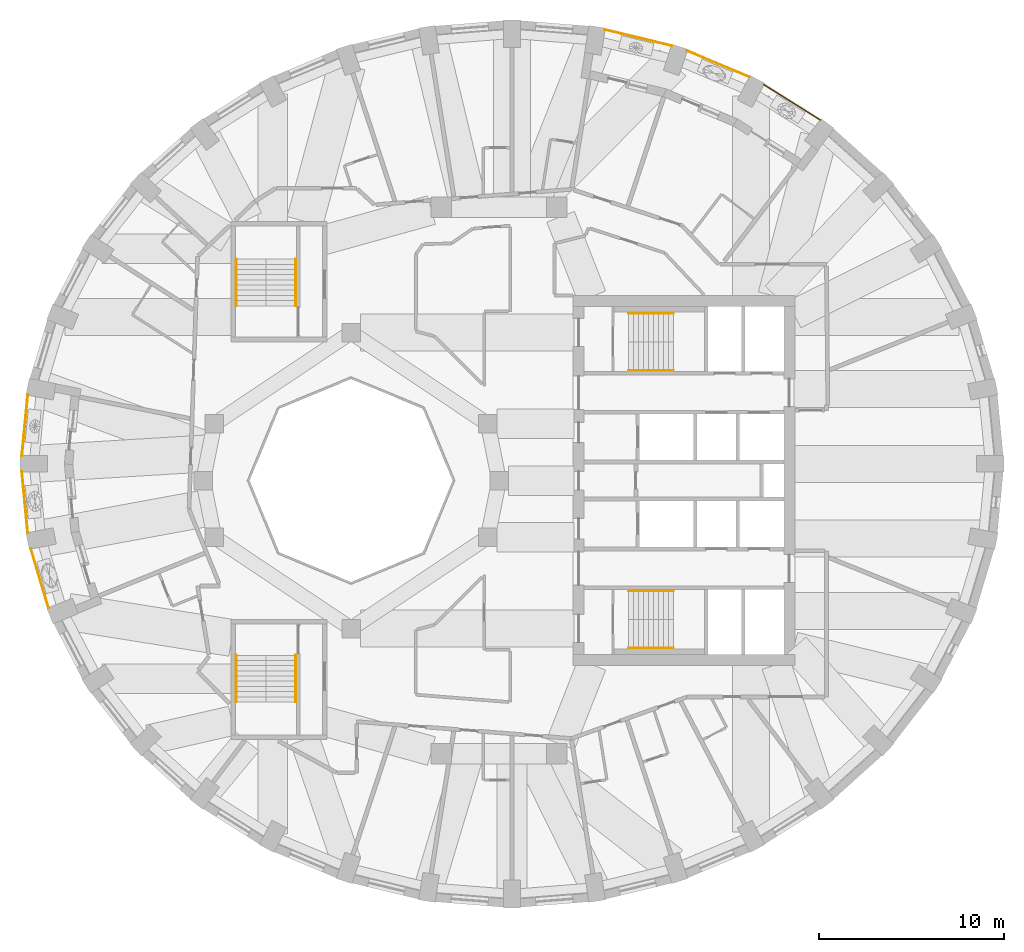
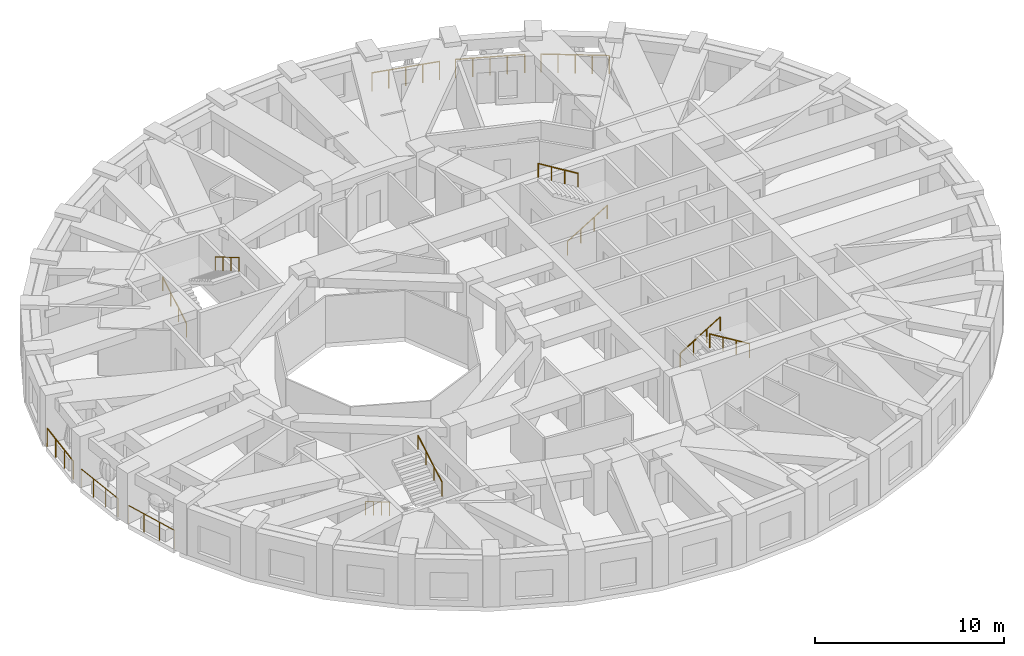
# One storey, part 10 of 12: 14 railings.
"""IFC4 building model written with IfcOpenShell, lengths in metres."""

from ifc_helpers import new_model, si_unit, direction, frame, origin, origin_2d, place, context, subcontext, project, spatial, circle, extrude, material, type_object, element, save


model = new_model("IFC4")

# Units and contexts
model_context = context("Model", 3, precision=1e-05, world=origin(), true_north=direction((0.0, 1.0)))
body_context = subcontext(model_context, "Body", "Model", "MODEL_VIEW")
ifc_project = project(units=[si_unit("LENGTHUNIT", "METRE"), si_unit("AREAUNIT", "SQUARE_METRE"), si_unit("VOLUMEUNIT", "CUBIC_METRE"), si_unit("PLANEANGLEUNIT", "RADIAN"), si_unit("MASSUNIT", "GRAM", prefix="KILO")], contexts=[model_context])

# Site, building, storey
site_placement = place(None, origin())
site = spatial("IfcSite", under=ifc_project, at=site_placement, CompositionType="ELEMENT")
building_placement = place(site_placement, origin())
building = spatial("IfcBuilding", under=site, at=building_placement, Name="Taillehof Tower", CompositionType="ELEMENT")
storey_placement = place(building_placement, frame((0.0, 0.0, 192.5)))
storey = spatial("IfcBuildingStorey", under=building, at=storey_placement, Name="L54", CompositionType="ELEMENT", Elevation=192.5)

# Railings
ifc_material_1 = material(Name="Stainless steel balustrade", Category="steel")
railing_type_1 = type_object("IfcRailingType", Name="Balcony guard 1200", PredefinedType="GUARDRAIL", material=ifc_material_1)
railing_1_placement = place(storey_placement, frame((17.3671875, 19.490478515625, 0.0)))
element("IfcRailing", 1, at=railing_1_placement, inside=storey, type_object=railing_type_1, Name="Balcony guard L54 bay 6", PredefinedType="GUARDRAIL", context=body_context, shape_type="SweptSolid", body=[
    extrude(circle(Radius=0.02392578125, at=origin_2d()), frame((0.0, 0.0, 1.17578125), z_axis=(-0.846122283453, 0.532988819249, 0.0), x_axis=(-0.532988819249, -0.846122283453, 0.0)), (0.0, 0.0, 1.0), 3.614501953125),
    extrude(circle(Radius=0.02099609375, at=origin_2d()), origin(), (0.0, 0.0, 1.0), 1.15185546875),
    extrude(circle(Radius=0.02099609375, at=origin_2d()), frame((-0.7646484375, 0.481689453125, 0.0)), (0.0, 0.0, 1.0), 1.15185546875),
    extrude(circle(Radius=0.02099609375, at=origin_2d()), frame((-1.529296875, 0.96337890625, 0.0)), (0.0, 0.0, 1.0), 1.15185546875),
    extrude(circle(Radius=0.02099609375, at=origin_2d()), frame((-2.293701171875, 1.44482421875, 0.0)), (0.0, 0.0, 1.0), 1.15185546875),
    extrude(circle(Radius=0.02099609375, at=origin_2d()), frame((-3.058349609375, 1.926513671875, 0.0)), (0.0, 0.0, 1.0), 1.15185546875),
])
railing_2_placement = place(storey_placement, frame((13.545654296875, 21.813720703125, 0.0)))
element("IfcRailing", 2, at=railing_2_placement, inside=storey, type_object=railing_type_1, Name="Balcony guard L54 bay 7", PredefinedType="GUARDRAIL", context=body_context, shape_type="SweptSolid", body=[
    extrude(circle(Radius=0.02392578125, at=origin_2d()), frame((0.0, 0.0, 1.17578125), z_axis=(-0.922153135678, 0.386825017752, 0.0), x_axis=(-0.386825017752, -0.922153135678, 0.0)), (0.0, 0.0, 1.0), 3.677734375),
    extrude(circle(Radius=0.02099609375, at=origin_2d()), origin(), (0.0, 0.0, 1.0), 1.15185546875),
    extrude(circle(Radius=0.02099609375, at=origin_2d()), frame((-0.847900390625, 0.355712890625, 0.0)), (0.0, 0.0, 1.0), 1.15185546875),
    extrude(circle(Radius=0.02099609375, at=origin_2d()), frame((-1.69580078125, 0.71142578125, 0.0)), (0.0, 0.0, 1.0), 1.15185546875),
    extrude(circle(Radius=0.02099609375, at=origin_2d()), frame((-2.54345703125, 1.06689453125, 0.0)), (0.0, 0.0, 1.0), 1.15185546875),
    extrude(circle(Radius=0.02099609375, at=origin_2d()), frame((-3.391357421875, 1.422607421875, 0.0)), (0.0, 0.0, 1.0), 1.15185546875),
])
railing_3_placement = place(storey_placement, frame((9.3369140625, 23.50439453125, 0.0)))
element("IfcRailing", 3, at=railing_3_placement, inside=storey, type_object=railing_type_1, Name="Balcony guard L54 bay 8", PredefinedType="GUARDRAIL", context=body_context, shape_type="SweptSolid", body=[
    extrude(circle(Radius=0.02392578125, at=origin_2d()), frame((0.0, 0.0, 1.17578125), z_axis=(-0.972163104093, 0.234305140875, 0.0), x_axis=(-0.234305140875, -0.972163104093, 0.0)), (0.0, 0.0, 1.0), 3.72412109375),
    extrude(circle(Radius=0.02099609375, at=origin_2d()), origin(), (0.0, 0.0, 1.0), 1.15185546875),
    extrude(circle(Radius=0.02099609375, at=origin_2d()), frame((-0.905029296875, 0.21826171875, 0.0)), (0.0, 0.0, 1.0), 1.15185546875),
    extrude(circle(Radius=0.02099609375, at=origin_2d()), frame((-1.81005859375, 0.436279296875, 0.0)), (0.0, 0.0, 1.0), 1.15185546875),
    extrude(circle(Radius=0.02099609375, at=origin_2d()), frame((-2.71533203125, 0.654296875, 0.0)), (0.0, 0.0, 1.0), 1.15185546875),
    extrude(circle(Radius=0.02099609375, at=origin_2d()), frame((-3.620361328125, 0.87255859375, 0.0)), (0.0, 0.0, 1.0), 1.15185546875),
])
railing_4_placement = place(storey_placement, frame((-25.47607421875, 4.6396484375, 0.0)))
element("IfcRailing", 4, at=railing_4_placement, inside=storey, type_object=railing_type_1, Name="Balcony guard L54 bay 18", PredefinedType="GUARDRAIL", context=body_context, shape_type="SweptSolid", body=[
    extrude(circle(Radius=0.02392578125, at=origin_2d()), frame((0.0, 0.0, 1.17578125), z_axis=(-0.096770014858, -0.995306768903, 0.0), x_axis=(0.995306768903, -0.096770014858, 0.0)), (0.0, 0.0, 1.0), 3.3251953125),
    extrude(circle(Radius=0.02099609375, at=origin_2d()), origin(), (0.0, 0.0, 1.0), 1.15185546875),
    extrude(circle(Radius=0.02099609375, at=origin_2d()), frame((-0.107177734375, -1.103271484375, 0.0)), (0.0, 0.0, 1.0), 1.15185546875),
    extrude(circle(Radius=0.02099609375, at=origin_2d()), frame((-0.214599609375, -2.206298828125, 0.0)), (0.0, 0.0, 1.0), 1.15185546875),
    extrude(circle(Radius=0.02099609375, at=origin_2d()), frame((-0.32177734375, -3.3095703125, 0.0)), (0.0, 0.0, 1.0), 1.15185546875),
])
railing_5_placement = place(storey_placement, frame((-25.7978515625, 0.469970703125, 0.0)))
element("IfcRailing", 5, at=railing_5_placement, inside=storey, type_object=railing_type_1, Name="Balcony guard L54 bay 19", PredefinedType="GUARDRAIL", context=body_context, shape_type="SweptSolid", body=[
    extrude(circle(Radius=0.02392578125, at=origin_2d()), frame((0.0, 0.0, 1.17578125), z_axis=(0.096770014858, -0.995306768903, 0.0), x_axis=(0.995306768903, 0.096770014858, 0.0)), (0.0, 0.0, 1.0), 3.3251953125),
    extrude(circle(Radius=0.02099609375, at=origin_2d()), origin(), (0.0, 0.0, 1.0), 1.15185546875),
    extrude(circle(Radius=0.02099609375, at=origin_2d()), frame((0.107177734375, -1.103271484375, 0.0)), (0.0, 0.0, 1.0), 1.15185546875),
    extrude(circle(Radius=0.02099609375, at=origin_2d()), frame((0.214599609375, -2.206298828125, 0.0)), (0.0, 0.0, 1.0), 1.15185546875),
    extrude(circle(Radius=0.02099609375, at=origin_2d()), frame((0.32177734375, -3.3095703125, 0.0)), (0.0, 0.0, 1.0), 1.15185546875),
])
railing_6_placement = place(storey_placement, frame((-25.310791015625, -3.683837890625, 0.0)))
element("IfcRailing", 6, at=railing_6_placement, inside=storey, type_object=railing_type_1, Name="Balcony guard L54 bay 20", PredefinedType="GUARDRAIL", context=body_context, shape_type="SweptSolid", body=[
    extrude(circle(Radius=0.02392578125, at=origin_2d()), frame((0.0, 0.0, 1.17578125), z_axis=(0.285469468933, -0.958387803714, 0.0), x_axis=(0.958387803714, 0.285469468933, 0.0)), (0.0, 0.0, 1.0), 3.3515625),
    extrude(circle(Radius=0.02099609375, at=origin_2d()), origin(), (0.0, 0.0, 1.0), 1.15185546875),
    extrude(circle(Radius=0.02099609375, at=origin_2d()), frame((0.31884765625, -1.07080078125, 0.0)), (0.0, 0.0, 1.0), 1.15185546875),
    extrude(circle(Radius=0.02099609375, at=origin_2d()), frame((0.637939453125, -2.141357421875, 0.0)), (0.0, 0.0, 1.0), 1.15185546875),
    extrude(circle(Radius=0.02099609375, at=origin_2d()), frame((0.956787109375, -3.212158203125, 0.0)), (0.0, 0.0, 1.0), 1.15185546875),
])
ifc_material_2 = material(Name="Stainless steel", Category="steel")
railing_type_2 = type_object("IfcRailingType", Name="Stair handrail 900", PredefinedType="HANDRAIL", material=ifc_material_2)
railing_7_placement = place(storey_placement, frame((7.0, 5.949951171875, 0.1650390625)))
element("IfcRailing", 7, at=railing_7_placement, inside=storey, type_object=railing_type_2, Name="Stair S1 handrail", PredefinedType="HANDRAIL", context=body_context, shape_type="SweptSolid", body=[
    extrude(circle(Radius=0.02392578125, at=origin_2d()), frame((0.0, 0.0, 0.8759765625), z_axis=(0.853296667938, 0.0, 0.521425734392), x_axis=(0.0, 1.0, 0.0)), (0.0, 0.0, 1.0), 2.84765625),
    extrude(circle(Radius=0.02099609375, at=origin_2d()), origin(), (0.0, 0.0, 1.0), 0.851806640625),
    extrude(circle(Radius=0.02099609375, at=origin_2d()), frame((0.81005859375, 0.0, 0.494873046875)), (0.0, 0.0, 1.0), 0.851806640625),
    extrude(circle(Radius=0.02099609375, at=origin_2d()), frame((1.619873046875, 0.0, 0.989990234375)), (0.0, 0.0, 1.0), 0.851806640625),
    extrude(circle(Radius=0.02099609375, at=origin_2d()), frame((2.429931640625, 0.0, 1.48486328125)), (0.0, 0.0, 1.0), 0.851806640625),
])
railing_8_placement = place(storey_placement, frame((9.429931640625, 9.050048828125, 1.81494140625)))
element("IfcRailing", 8, at=railing_8_placement, inside=storey, type_object=railing_type_2, Name="Stair S1 handrail", PredefinedType="HANDRAIL", context=body_context, shape_type="SweptSolid", body=[
    extrude(circle(Radius=0.02392578125, at=origin_2d()), frame((0.0, 0.0, 0.8759765625), z_axis=(-0.853258522278, 0.0, 0.521488153423), x_axis=(0.0, -1.0, 0.0)), (0.0, 0.0, 1.0), 2.847900390625),
    extrude(circle(Radius=0.02099609375, at=origin_2d()), origin(), (0.0, 0.0, 1.0), 0.851806640625),
    extrude(circle(Radius=0.02099609375, at=origin_2d()), frame((-0.81005859375, 0.0, 0.4951171875)), (0.0, 0.0, 1.0), 0.851806640625),
    extrude(circle(Radius=0.02099609375, at=origin_2d()), frame((-1.619873046875, 0.0, 0.989990234375)), (0.0, 0.0, 1.0), 0.851806640625),
    extrude(circle(Radius=0.02099609375, at=origin_2d()), frame((-2.429931640625, 0.0, 1.485107421875)), (0.0, 0.0, 1.0), 0.851806640625),
])
railing_9_placement = place(storey_placement, frame((7.0, -5.949951171875, 0.1650390625)))
element("IfcRailing", 9, at=railing_9_placement, inside=storey, type_object=railing_type_2, Name="Stair S2 handrail", PredefinedType="HANDRAIL", context=body_context, shape_type="SweptSolid", body=[
    extrude(circle(Radius=0.02392578125, at=origin_2d()), frame((0.0, 0.0, 0.8759765625), z_axis=(0.853296667938, 0.0, 0.521425734392), x_axis=(0.0, 1.0, 0.0)), (0.0, 0.0, 1.0), 2.84765625),
    extrude(circle(Radius=0.02099609375, at=origin_2d()), origin(), (0.0, 0.0, 1.0), 0.851806640625),
    extrude(circle(Radius=0.02099609375, at=origin_2d()), frame((0.81005859375, 0.0, 0.494873046875)), (0.0, 0.0, 1.0), 0.851806640625),
    extrude(circle(Radius=0.02099609375, at=origin_2d()), frame((1.619873046875, 0.0, 0.989990234375)), (0.0, 0.0, 1.0), 0.851806640625),
    extrude(circle(Radius=0.02099609375, at=origin_2d()), frame((2.429931640625, 0.0, 1.48486328125)), (0.0, 0.0, 1.0), 0.851806640625),
])
railing_10_placement = place(storey_placement, frame((9.429931640625, -9.050048828125, 1.81494140625)))
element("IfcRailing", 10, at=railing_10_placement, inside=storey, type_object=railing_type_2, Name="Stair S2 handrail", PredefinedType="HANDRAIL", context=body_context, shape_type="SweptSolid", body=[
    extrude(circle(Radius=0.02392578125, at=origin_2d()), frame((0.0, 0.0, 0.8759765625), z_axis=(-0.853258522278, 0.0, 0.521488153423), x_axis=(0.0, -1.0, 0.0)), (0.0, 0.0, 1.0), 2.847900390625),
    extrude(circle(Radius=0.02099609375, at=origin_2d()), origin(), (0.0, 0.0, 1.0), 0.851806640625),
    extrude(circle(Radius=0.02099609375, at=origin_2d()), frame((-0.81005859375, 0.0, 0.4951171875)), (0.0, 0.0, 1.0), 0.851806640625),
    extrude(circle(Radius=0.02099609375, at=origin_2d()), frame((-1.619873046875, 0.0, 0.989990234375)), (0.0, 0.0, 1.0), 0.851806640625),
    extrude(circle(Radius=0.02099609375, at=origin_2d()), frame((-2.429931640625, 0.0, 1.485107421875)), (0.0, 0.0, 1.0), 0.851806640625),
])
railing_11_placement = place(storey_placement, frame((-14.199951171875, 9.449951171875, 0.1650390625)))
element("IfcRailing", 11, at=railing_11_placement, inside=storey, type_object=railing_type_2, Name="Stair S3 handrail", PredefinedType="HANDRAIL", context=body_context, shape_type="SweptSolid", body=[
    extrude(circle(Radius=0.02392578125, at=origin_2d()), frame((0.0, 0.0, 0.8759765625), z_axis=(0.0, 0.861560626758, 0.507654692109), x_axis=(-1.0, 0.0, 0.0)), (0.0, 0.0, 1.0), 2.925048828125),
    extrude(circle(Radius=0.02099609375, at=origin_2d()), origin(), (0.0, 0.0, 1.0), 0.851806640625),
    extrude(circle(Radius=0.02099609375, at=origin_2d()), frame((0.0, 0.840087890625, 0.494873046875)), (0.0, 0.0, 1.0), 0.851806640625),
    extrude(circle(Radius=0.02099609375, at=origin_2d()), frame((0.0, 1.679931640625, 0.989990234375)), (0.0, 0.0, 1.0), 0.851806640625),
    extrude(circle(Radius=0.02099609375, at=origin_2d()), frame((0.0, 2.52001953125, 1.48486328125)), (0.0, 0.0, 1.0), 0.851806640625),
])
railing_12_placement = place(storey_placement, frame((-11.0, 11.969970703125, 1.81494140625)))
element("IfcRailing", 12, at=railing_12_placement, inside=storey, type_object=railing_type_2, Name="Stair S3 handrail", PredefinedType="HANDRAIL", context=body_context, shape_type="SweptSolid", body=[
    extrude(circle(Radius=0.02392578125, at=origin_2d()), frame((0.0, 0.0, 0.8759765625), z_axis=(0.0, -0.86152411907, 0.507716645641), x_axis=(1.0, 0.0, 0.0)), (0.0, 0.0, 1.0), 2.925048828125),
    extrude(circle(Radius=0.02099609375, at=origin_2d()), origin(), (0.0, 0.0, 1.0), 0.851806640625),
    extrude(circle(Radius=0.02099609375, at=origin_2d()), frame((0.0, -0.840087890625, 0.4951171875)), (0.0, 0.0, 1.0), 0.851806640625),
    extrude(circle(Radius=0.02099609375, at=origin_2d()), frame((0.0, -1.679931640625, 0.989990234375)), (0.0, 0.0, 1.0), 0.851806640625),
    extrude(circle(Radius=0.02099609375, at=origin_2d()), frame((0.0, -2.52001953125, 1.485107421875)), (0.0, 0.0, 1.0), 0.851806640625),
])
railing_13_placement = place(storey_placement, frame((-14.199951171875, -9.449951171875, 0.1650390625)))
element("IfcRailing", 13, at=railing_13_placement, inside=storey, type_object=railing_type_2, Name="Stair S4 handrail", PredefinedType="HANDRAIL", context=body_context, shape_type="SweptSolid", body=[
    extrude(circle(Radius=0.02392578125, at=origin_2d()), frame((0.0, 0.0, 0.8759765625), z_axis=(0.0, -0.861560626758, 0.507654692109), x_axis=(1.0, 0.0, 0.0)), (0.0, 0.0, 1.0), 2.925048828125),
    extrude(circle(Radius=0.02099609375, at=origin_2d()), origin(), (0.0, 0.0, 1.0), 0.851806640625),
    extrude(circle(Radius=0.02099609375, at=origin_2d()), frame((0.0, -0.840087890625, 0.494873046875)), (0.0, 0.0, 1.0), 0.851806640625),
    extrude(circle(Radius=0.02099609375, at=origin_2d()), frame((0.0, -1.679931640625, 0.989990234375)), (0.0, 0.0, 1.0), 0.851806640625),
    extrude(circle(Radius=0.02099609375, at=origin_2d()), frame((0.0, -2.52001953125, 1.48486328125)), (0.0, 0.0, 1.0), 0.851806640625),
])
railing_14_placement = place(storey_placement, frame((-11.0, -11.969970703125, 1.81494140625)))
element("IfcRailing", 14, at=railing_14_placement, inside=storey, type_object=railing_type_2, Name="Stair S4 handrail", PredefinedType="HANDRAIL", context=body_context, shape_type="SweptSolid", body=[
    extrude(circle(Radius=0.02392578125, at=origin_2d()), frame((0.0, 0.0, 0.8759765625), z_axis=(0.0, 0.86152411907, 0.507716645641), x_axis=(-1.0, 0.0, 0.0)), (0.0, 0.0, 1.0), 2.925048828125),
    extrude(circle(Radius=0.02099609375, at=origin_2d()), origin(), (0.0, 0.0, 1.0), 0.851806640625),
    extrude(circle(Radius=0.02099609375, at=origin_2d()), frame((0.0, 0.840087890625, 0.4951171875)), (0.0, 0.0, 1.0), 0.851806640625),
    extrude(circle(Radius=0.02099609375, at=origin_2d()), frame((0.0, 1.679931640625, 0.989990234375)), (0.0, 0.0, 1.0), 0.851806640625),
    extrude(circle(Radius=0.02099609375, at=origin_2d()), frame((0.0, 2.52001953125, 1.485107421875)), (0.0, 0.0, 1.0), 0.851806640625),
])

save(model, "model.ifc")
